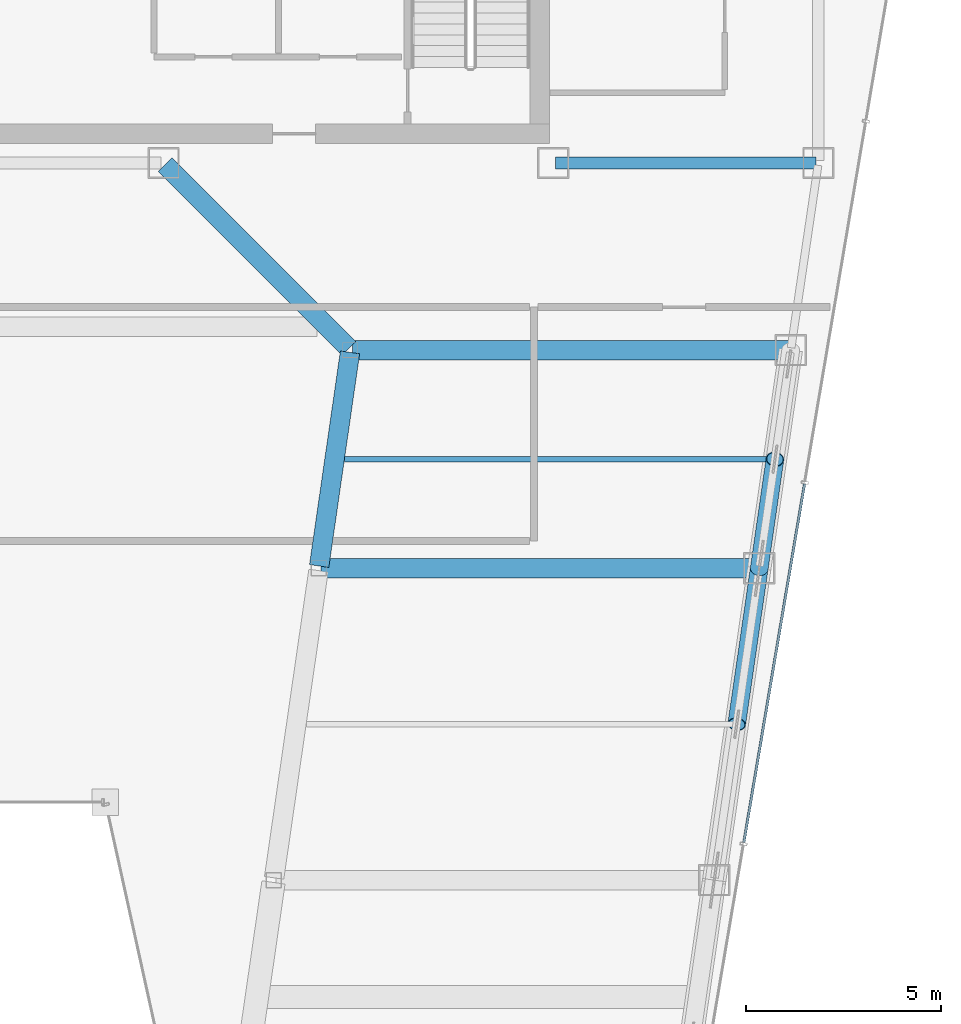
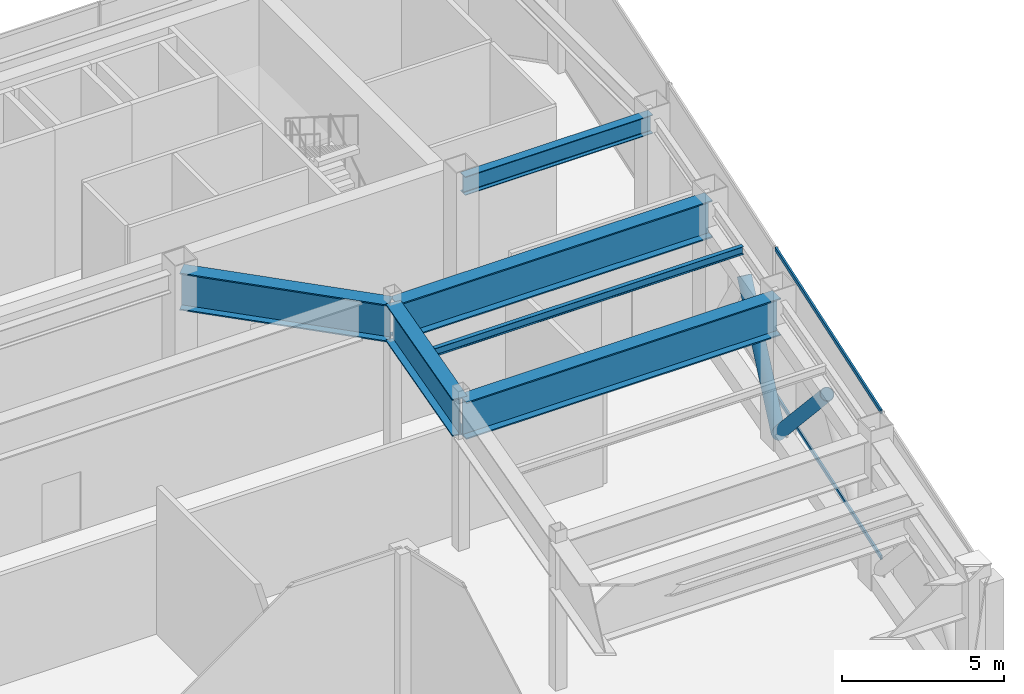
# One storey, part 19 of 34: 6 beams, 4 members, 1 element without a shape of its own.
"""IFC4 building model written with IfcOpenShell, lengths in metres."""

from ifc_helpers import new_model, si_unit, direction, frame, origin, origin_2d, place, context, subcontext, project, spatial, hollow_rectangle, hollow_circle, i_section, extrude, material, material_profile, profile_set, type_object, element, aggregate, save


model = new_model("IFC4")

# Units and contexts
model_context = context("Model", 3, precision=1e-05, world=origin(), true_north=direction((0.0, 1.0)))
body_context = subcontext(model_context, "Body", "Model", "MODEL_VIEW")
ifc_project = project(units=[si_unit("LENGTHUNIT", "METRE"), si_unit("AREAUNIT", "SQUARE_METRE"), si_unit("VOLUMEUNIT", "CUBIC_METRE"), si_unit("PLANEANGLEUNIT", "RADIAN"), si_unit("MASSUNIT", "GRAM", prefix="KILO")], contexts=[model_context])

# Site, building, storey
site_placement = place(None, origin())
site = spatial("IfcSite", under=ifc_project, at=site_placement, CompositionType="ELEMENT")
building_placement = place(site_placement, origin())
building = spatial("IfcBuilding", under=site, at=building_placement, Name="Saevonmaru Cultural Tower", CompositionType="ELEMENT")
storey_placement = place(building_placement, frame((0.0, 0.0, 224.60009765625)))
storey = spatial("IfcBuildingStorey", under=building, at=storey_placement, Name="L52", CompositionType="ELEMENT", Elevation=224.60009765625)

# Beams
ifc_material_1 = material(Name="Steel SM355", Category="steel")
ifc_material_profile_1 = material_profile(ifc_material_1, i_section(OverallWidth=0.300048828125, OverallDepth=0.699951171875, WebThickness=0.012939453125, FlangeThickness=0.02392578125, FilletRadius=0.02587890625, at=origin_2d()), Name="H-700x300x13x24")
ifc_profile_set_1 = profile_set([ifc_material_profile_1], Name="Steel SM355")
beam_type_1 = type_object("IfcBeamType", Name="BM-G-H700", PredefinedType="BEAM", material=ifc_profile_set_1)
beam_1_placement = place(storey_placement, frame((46.4599609375, 42.39990234375, 5.199951171875), z_axis=(1.0, 0.0, 0.0), x_axis=(0.0, 1.0, 0.0)))
element("IfcBeam", 1, at=beam_1_placement, inside=storey, type_object=beam_type_1, Name="L52 Core South Girder 5", PredefinedType="BEAM", context=body_context, shape_type="SweptSolid", body=[
    extrude(i_section(OverallWidth=0.300048828125, OverallDepth=0.699951171875, WebThickness=0.012939453125, FlangeThickness=0.02392578125, FilletRadius=0.02587890625, at=origin_2d()), origin(), (0.0, 0.0, 1.0), 6.679931640625),
])
ifc_material_profile_2 = material_profile(ifc_material_1, i_section(OverallWidth=0.14990234375, OverallDepth=0.300048828125, WebThickness=0.006591796875, FlangeThickness=0.009033203125, FilletRadius=0.012939453125, at=origin_2d()), Name="H-300x150x6.5x9")
ifc_profile_set_2 = profile_set([ifc_material_profile_2], Name="Steel SM355")
beam_type_2 = type_object("IfcBeamType", Name="BM-J-H300", PredefinedType="JOIST", material=ifc_profile_set_2)
beam_2_placement = place(storey_placement, frame((41.04541015625, 34.800048828125, 5.39990234375), z_axis=(1.0, 0.0, 0.0), x_axis=(0.0, 1.0, 0.0)))
element("IfcBeam", 2, at=beam_2_placement, inside=storey, type_object=beam_type_2, Name="L52 East Wing Floor Joist 3", PredefinedType="JOIST", context=body_context, shape_type="SweptSolid", body=[
    extrude(i_section(OverallWidth=0.14990234375, OverallDepth=0.300048828125, WebThickness=0.006591796875, FlangeThickness=0.009033203125, FilletRadius=0.012939453125, at=origin_2d()), origin(), (0.0, 0.0, 1.0), 10.982177734375),
])
ifc_material_2 = material(Name="Steel HSA600 (600 MPa)", Category="steel")
ifc_material_profile_3 = material_profile(ifc_material_2, i_section(OverallWidth=0.5, OverallDepth=1.39990234375, WebThickness=0.02392578125, FlangeThickness=0.044921875, at=origin_2d()), Name="PG-1400x500x24x45")
ifc_profile_set_3 = profile_set([ifc_material_profile_3], Name="Steel HSA600 (600 MPa)")
beam_type_3 = type_object("IfcBeamType", Name="BM-TG-PG1400", PredefinedType="BEAM", material=ifc_profile_set_3)
beam_3_placement = place(storey_placement, frame((40.3916015625, 32.059326171875, 4.849853515625), z_axis=(0.142964121327, 0.989727871697, 0.0), x_axis=(-0.989727871697, 0.142964121327, 0.0)))
element("IfcBeam", 3, at=beam_3_placement, inside=storey, type_object=beam_type_3, Name="L52 East Atrium Girder 3", PredefinedType="BEAM", context=body_context, shape_type="SweptSolid", body=[
    extrude(i_section(OverallWidth=0.5, OverallDepth=1.39990234375, WebThickness=0.02392578125, FlangeThickness=0.044921875, at=origin_2d()), origin(), (0.0, 0.0, 1.0), 5.5380859375),
])
beam_4_placement = place(storey_placement, frame((41.149658203125, 37.642578125, 4.849853515625), z_axis=(-0.706538566564, 0.707674539572, 0.0), x_axis=(-0.707674539572, -0.706538566564, 0.0)))
element("IfcBeam", 4, at=beam_4_placement, inside=storey, type_object=beam_type_3, Name="L52 East Atrium Girder 4", PredefinedType="BEAM", context=body_context, shape_type="SweptSolid", body=[
    extrude(i_section(OverallWidth=0.5, OverallDepth=1.39990234375, WebThickness=0.02392578125, FlangeThickness=0.044921875, at=origin_2d()), origin(), (0.0, 0.0, 1.0), 6.662353515625),
])
for number, where, z_axis, x_axis, name in (
    (5, (40.443115234375, 32.0, 4.849853515625), (1.0, 0.0, 0.0), (0.0, 1.0, 0.0), "L52 East Wing Transverse Girder 3"),
    (6, (41.251953125, 37.60009765625, 4.849853515625), (1.0, 0.0, 0.0), (0.0, 1.0, 0.0), "L52 East Wing Transverse Girder 4"),
):
    element("IfcBeam", number, at=place(storey_placement, frame(where, z_axis=z_axis, x_axis=x_axis)), inside=storey, type_object=beam_type_3, Name=name, PredefinedType="BEAM", context=body_context, shape_type="SweptSolid", body=[
        extrude(i_section(OverallWidth=0.5, OverallDepth=1.39990234375, WebThickness=0.02392578125, FlangeThickness=0.044921875, at=origin_2d()), origin(), (0.0, 0.0, 1.0), 11.179931640625),
    ])

# Members
ifc_material_3 = material(Name="Steel SM420", Category="steel")
ifc_material_profile_4 = material_profile(ifc_material_3, hollow_circle(Radius=0.228515625, WallThickness=0.02001953125, at=origin_2d()), Name="CHS-457.2x20")
ifc_profile_set_4 = profile_set([ifc_material_profile_4], Name="Steel SM420")
member_type_1 = type_object("IfcMemberType", Name="MB-BBR-CHS457", PredefinedType="BRACE", material=ifc_profile_set_4)
member_1_placement = place(storey_placement, frame((51.68310546875, 32.0, 0.2998046875), z_axis=(-0.100418226369, -0.694785566232, 0.712172167926), x_axis=(0.989716197255, -0.143044919135, 0.0)))
element("IfcMember", 7, at=member_1_placement, inside=storey, type_object=member_type_1, Name="L52 Belt Truss Diagonal BE2-2", PredefinedType="BRACE", context=body_context, shape_type="SweptSolid", body=[
    extrude(hollow_circle(Radius=0.228515625, WallThickness=0.02001953125, at=origin_2d()), origin(), (0.0, 0.0, 1.0), 5.757080078125),
])
member_2_placement = place(storey_placement, frame((51.68310546875, 32.0, 0.2998046875), z_axis=(0.081063617715, 0.562103162982, 0.823084882651), x_axis=(-0.989760486421, 0.142738150191, 0.0)))
element("IfcMember", 8, at=member_2_placement, inside=storey, type_object=member_type_1, Name="L52 Belt Truss Diagonal BE3-1", PredefinedType="BRACE", context=body_context, shape_type="SweptSolid", body=[
    extrude(hollow_circle(Radius=0.228515625, WallThickness=0.02001953125, at=origin_2d()), origin(), (0.0, 0.0, 1.0), 4.9814453125),
])

# Curtain wall, members
ifc_material_4 = material(Name="Satin Bronze Anodised Aluminium", Category="aluminium")
curtain_wall_type = type_object("IfcCurtainWallType", Name="CW-TYP-B", PredefinedType="NOTDEFINED", material=ifc_material_4)
curtain_wall_placement = place(storey_placement, origin())
curtain_wall = element("IfcCurtainWall", 9, at=curtain_wall_placement, inside=storey, type_object=curtain_wall_type, Name="L52 Wind-Floor Acoustic Louvre Screen E8", PredefinedType="NOTDEFINED")
ifc_material_profile_5 = material_profile(ifc_material_4, hollow_rectangle(XDim=0.06494140625, YDim=0.14990234375, WallThickness=0.00390625, at=origin_2d()), Name="ALU-TRAN-150x65x4")
ifc_profile_set_5 = profile_set([ifc_material_profile_5], Name="Satin Bronze Anodised Aluminium")
member_type_2 = type_object("IfcMemberType", Name="TR-CW-150x65", PredefinedType="USERDEFINED", material=ifc_profile_set_5)
member_3_placement = place(storey_placement, frame((51.287109375, 24.961669921875, 0.032470703125), z_axis=(0.166921263871, 0.985970228591, 0.0), x_axis=(-0.985970228591, 0.166921263871, 0.0)))
member_3 = element("IfcMember", 10, at=member_3_placement, type_object=member_type_2, Name="CW-TW-L52-E8 transom 2.1", ObjectType="TRANSOM", PredefinedType="USERDEFINED", context=body_context, shape_type="SweptSolid", body=[
    extrude(hollow_rectangle(XDim=0.06494140625, YDim=0.14990234375, WallThickness=0.00390625, at=origin_2d()), origin(), (0.0, 0.0, 1.0), 9.33740234375),
])
member_4_placement = place(storey_placement, frame((51.287109375, 24.961669921875, 5.517333984375), z_axis=(0.166921263871, 0.985970228591, 0.0), x_axis=(-0.985970228591, 0.166921263871, 0.0)))
member_4 = element("IfcMember", 11, at=member_4_placement, type_object=member_type_2, Name="CW-TW-L52-E8 transom 2.2", ObjectType="TRANSOM", PredefinedType="USERDEFINED", context=body_context, shape_type="SweptSolid", body=[
    extrude(hollow_rectangle(XDim=0.06494140625, YDim=0.14990234375, WallThickness=0.00390625, at=origin_2d()), origin(), (0.0, 0.0, 1.0), 9.33740234375),
])
aggregate(curtain_wall, [member_3, member_4])

save(model, "model.ifc")
